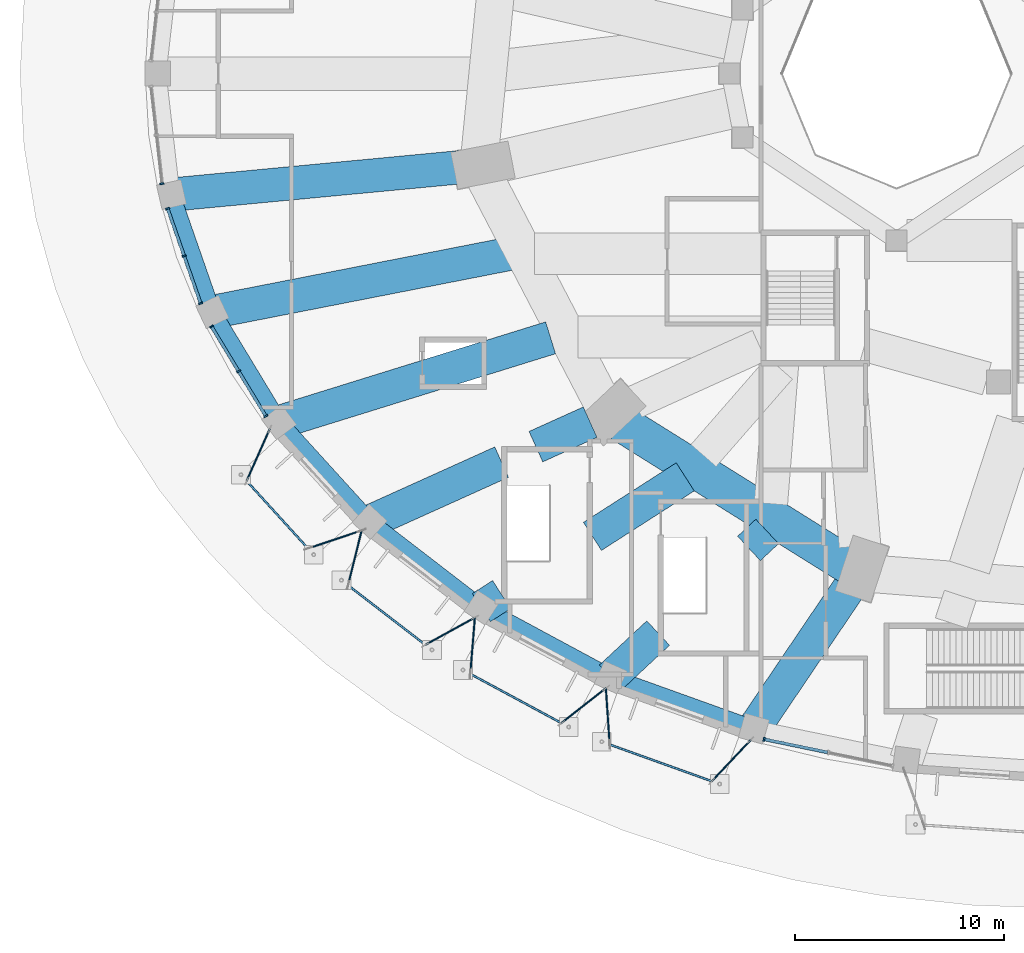
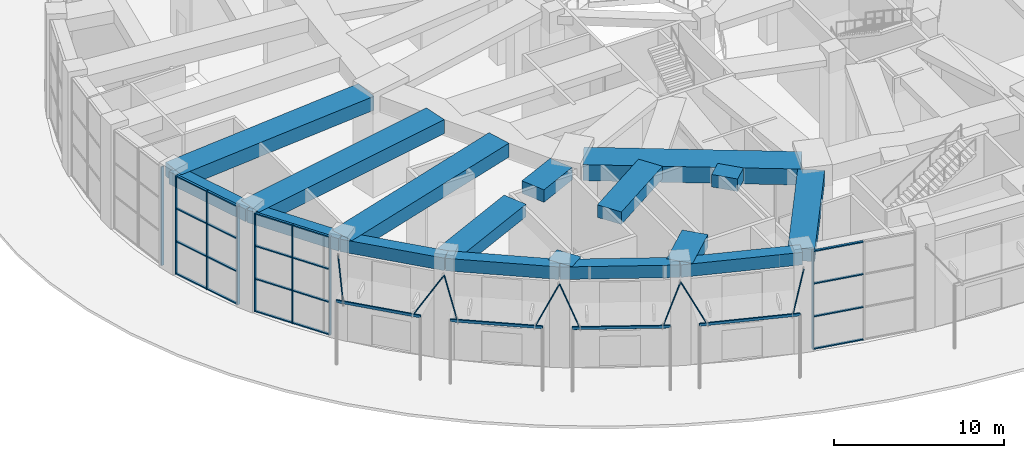
# One storey, part 22 of 60: 36 members, 21 beams, 4 elements without a shape of their own.
"""IFC4 building model written with IfcOpenShell, lengths in metres."""

import ifcopenshell
import ifcopenshell.guid

model = None  # the IFC model being written
_history = None  # IfcOwnerHistory: only IFC2X3 demands one
_inside = {}  # id of a spatial element -> (the spatial element, [elements in it])
_under = {}  # id of a project, library or spatial element -> (it, [spatial elements below it])
_declared = {}  # id of a project -> (the project, [libraries it declares])
_typed = {}  # id of a type object -> (the type object, [elements of that type])
_made_of = {}  # id of a material, layer set ... -> (it, [elements and type objects made of it])


def new_model(schema):
    """Start an empty IFC model of exactly this schema.

    Asked for "IFC4X3", IfcOpenShell would pick the latest addendum, in which some entities
    have other attributes; the version numbers below select the first issue.
    IFC2X3 requires an IfcOwnerHistory on every rooted entity: one is made here for all.
    """
    global model, _history
    if schema == "IFC4X3":
        model = ifcopenshell.file(schema_version=(4, 3, 0, 0))
    else:
        model = ifcopenshell.file(schema=schema)
    _inside.clear()
    _under.clear()
    _declared.clear()
    _typed.clear()
    _made_of.clear()
    _history = None
    if model.schema == "IFC2X3":
        org = make("IfcOrganization", Name="unknown")
        user = make(
            "IfcPersonAndOrganization",
            ThePerson=make("IfcPerson", FamilyName="unknown"),
            TheOrganization=org,
        )
        app = make(
            "IfcApplication",
            ApplicationDeveloper=org,
            Version="unknown",
            ApplicationFullName="unknown",
            ApplicationIdentifier="unknown",
        )
        _history = make(
            "IfcOwnerHistory",
            OwningUser=user,
            OwningApplication=app,
            ChangeAction="ADDED",
            CreationDate=0,
        )
    return model


def make(cls, **values):
    """One entity of the class cls with the attributes given. An attribute that is None is left unset."""
    return model.create_entity(
        cls, **{name: value for name, value in values.items() if value is not None}
    )


def rooted(cls, **values):
    """An entity with a GlobalId (a new one), such as an element, a storey or a relation."""
    return make(cls, GlobalId=ifcopenshell.guid.new(), OwnerHistory=_history, **values)


def si_unit(unit_type, name, prefix=None):
    """IfcSIUnit, for example si_unit("LENGTHUNIT", "METRE", prefix="MILLI")."""
    return make("IfcSIUnit", UnitType=unit_type, Prefix=prefix, Name=name)


def assignment(units):
    """IfcUnitAssignment: the units of a project."""
    return None if units is None else make("IfcUnitAssignment", Units=units)


def point(xyz):
    """IfcCartesianPoint."""
    return None if xyz is None else make("IfcCartesianPoint", Coordinates=xyz)


def direction(xyz):
    """IfcDirection."""
    return None if xyz is None else make("IfcDirection", DirectionRatios=xyz)


def frame(location, z_axis=None, x_axis=None):
    """IfcAxis2Placement3D, a coordinate frame: its origin and axes. An axis left out is left unset."""
    return make(
        "IfcAxis2Placement3D",
        Location=point(location),
        Axis=direction(z_axis),
        RefDirection=direction(x_axis),
    )


def frame_2d(location, x_axis=None):
    """IfcAxis2Placement2D, a coordinate frame in the plane: its origin and x axis."""
    return make(
        "IfcAxis2Placement2D", Location=point(location), RefDirection=direction(x_axis)
    )


def origin():
    """The frame at (0, 0, 0) with its axes left unset."""
    return frame((0.0, 0.0, 0.0))


def origin_2d():
    """The frame at (0, 0) in the plane with its x axis left unset."""
    return frame_2d((0.0, 0.0))


def place(relative_to, where):
    """IfcLocalPlacement: puts the frame where relative to a parent placement (None: the world)."""
    return make(
        "IfcLocalPlacement", PlacementRelTo=relative_to, RelativePlacement=where
    )


def context(
    kind, dimensions, precision=None, world=None, true_north=None, identifier=None
):
    """IfcGeometricRepresentationContext, for example the 3D "Model" context."""
    return make(
        "IfcGeometricRepresentationContext",
        ContextIdentifier=identifier,
        ContextType=kind,
        CoordinateSpaceDimension=dimensions,
        Precision=precision,
        WorldCoordinateSystem=world,
        TrueNorth=true_north,
    )


def subcontext(parent, identifier, kind, view, scale=None):
    """IfcGeometricRepresentationSubContext, for example "Body" below "Model"."""
    return make(
        "IfcGeometricRepresentationSubContext",
        ContextIdentifier=identifier,
        ContextType=kind,
        ParentContext=parent,
        TargetScale=scale,
        TargetView=view,
    )


def project(units=None, contexts=None):
    """IfcProject with its units and contexts."""
    return rooted(
        "IfcProject",
        Name="project",
        RepresentationContexts=contexts,
        UnitsInContext=assignment(units),
    )


def spatial(cls, under=None, at=None, **own):
    """A site, building, storey or space (cls), placed at a placement, below another one or the project."""
    s = rooted(cls, ObjectPlacement=at, **own)
    if under is not None:
        _under.setdefault(under.id(), (under, []))[1].append(s)
    return s


def profile(cls, at=None, kind="AREA", **sizes):
    """A parametric profile (cls). Its sizes go by their IFC names, for example OverallWidth=200.0."""
    return make(cls, ProfileType=kind, Position=at, **sizes)


def rectangle(**sizes):
    """IfcRectangleProfileDef."""
    return profile("IfcRectangleProfileDef", **sizes)


def hollow_rectangle(**sizes):
    """IfcRectangleHollowProfileDef."""
    return profile("IfcRectangleHollowProfileDef", **sizes)


def hollow_circle(**sizes):
    """IfcCircleHollowProfileDef."""
    return profile("IfcCircleHollowProfileDef", **sizes)


def extrude(swept, where, along, depth):
    """IfcExtrudedAreaSolid: the profile swept, set in the frame where, extruded along a direction by depth."""
    return make(
        "IfcExtrudedAreaSolid",
        SweptArea=swept,
        Position=where,
        ExtrudedDirection=direction(along),
        Depth=depth,
    )


def shape(context_of_items, identifier, shape_type, items):
    """IfcShapeRepresentation: the items that make up one representation, for example the "Body"."""
    return make(
        "IfcShapeRepresentation",
        ContextOfItems=context_of_items,
        RepresentationIdentifier=identifier,
        RepresentationType=shape_type,
        Items=items,
    )


def material(Name=None, Category=None):
    """IfcMaterial."""
    return make("IfcMaterial", Name=Name, Category=Category)


def material_profile(
    of_material, cross_section, Name=None, Category=None, Priority=None
):
    """IfcMaterialProfile: a cross section and its material."""
    return make(
        "IfcMaterialProfile",
        Name=Name,
        Material=of_material,
        Profile=cross_section,
        Priority=Priority,
        Category=Category,
    )


def profile_set(profiles, Name=None, composite=None):
    """IfcMaterialProfileSet."""
    return make(
        "IfcMaterialProfileSet",
        Name=Name,
        MaterialProfiles=profiles,
        CompositeProfile=composite,
    )


def made_of(thing, what):
    """Note that an element or type object is made of a material, layer set ...; save() writes the relation."""
    if what is not None:
        _made_of.setdefault(what.id(), (what, []))[1].append(thing)
    return thing


def type_object(cls, material=None, **own):
    """A type object (cls), such as IfcWallType, which elements share."""
    return made_of(rooted(cls, **own), material)


def element(
    cls,
    number,
    at=None,
    inside=None,
    cuts=None,
    type_object=None,
    material=None,
    context=None,
    identifier="Body",
    shape_type=None,
    held_by="IfcProductDefinitionShape",
    body=None,
    shapes=None,
    **own,
):
    """One element of the class cls, such as IfcWall. Its Tag is "e" and its number.

    at: its placement. inside: the storey or other place that contains it. cuts: it is an
    opening in that element (IfcRelVoidsElement). A single representation is given by context,
    identifier, shape_type and body (its items); several are given by shapes. held_by: the class
    of the entity that holds the representations. save() writes the other relations.
    """
    e = rooted(cls, Tag="e%d" % number, ObjectPlacement=at, **own)
    if body is not None:
        shapes = [shape(context, identifier, shape_type, body)]
    if shapes is not None:
        e.Representation = make(held_by, Representations=shapes)
    if inside is not None:
        _inside.setdefault(inside.id(), (inside, []))[1].append(e)
    if cuts is not None:
        rooted(
            "IfcRelVoidsElement", RelatingBuildingElement=cuts, RelatedOpeningElement=e
        )
    if type_object is not None:
        _typed.setdefault(type_object.id(), (type_object, []))[1].append(e)
    return made_of(e, material)


def aggregate(whole, parts):
    """IfcRelAggregates: a whole, such as a stair, and the parts it consists of."""
    return rooted("IfcRelAggregates", RelatingObject=whole, RelatedObjects=parts)


def save(model, path):
    """Write the relations noted so far, then the file.

    IfcRelAggregates (storeys below a building ...), IfcRelContainedInSpatialStructure (elements
    in a storey), IfcRelDefinesByType, IfcRelAssociatesMaterial and IfcRelDeclares: one each for
    every whole, place, type object, material and project.
    """
    for whole, parts in _under.values():
        aggregate(whole, parts)
    for where, things in _inside.values():
        rooted(
            "IfcRelContainedInSpatialStructure",
            RelatedElements=things,
            RelatingStructure=where,
        )
    for kind, things in _typed.values():
        rooted("IfcRelDefinesByType", RelatedObjects=things, RelatingType=kind)
    for what, things in _made_of.values():
        rooted("IfcRelAssociatesMaterial", RelatedObjects=things, RelatingMaterial=what)
    for by, libraries in _declared.values():
        rooted("IfcRelDeclares", RelatingContext=by, RelatedDefinitions=libraries)
    model.write(path)


model = new_model("IFC4")

# Units and contexts
model_context = context("Model", 3, precision=1e-05, world=origin(), true_north=direction((0.0, 1.0)))
body_context = subcontext(model_context, "Body", "Model", "MODEL_VIEW")
ifc_project = project(units=[si_unit("LENGTHUNIT", "METRE"), si_unit("AREAUNIT", "SQUARE_METRE"), si_unit("VOLUMEUNIT", "CUBIC_METRE"), si_unit("PLANEANGLEUNIT", "RADIAN"), si_unit("MASSUNIT", "GRAM", prefix="KILO")], contexts=[model_context])

# Site, building, storey
site_placement = place(None, origin())
site = spatial("IfcSite", under=ifc_project, at=site_placement, CompositionType="ELEMENT")
building_placement = place(site_placement, origin())
building = spatial("IfcBuilding", under=site, at=building_placement, Name="Taillehof Tower", CompositionType="ELEMENT")
storey_placement = place(building_placement, origin())
storey = spatial("IfcBuildingStorey", under=building, at=storey_placement, Name="L00", CompositionType="ELEMENT", Elevation=0.0)

# Beams
ifc_material_1 = material(Name="Steel S460M", Category="steel")
ifc_material_profile_1 = material_profile(ifc_material_1, hollow_rectangle(XDim=0.10009765625, YDim=0.199951171875, WallThickness=0.008056640625, InnerFilletRadius=0.008056640625, OuterFilletRadius=0.011962890625, at=origin_2d()), Name="RHS 200x100x8")
ifc_profile_set_1 = profile_set([ifc_material_profile_1], Name="Steel S460M")
beam_type_1 = type_object("IfcBeamType", Name="Canopy edge beam RHS 200x100x8", PredefinedType="BEAM", material=ifc_profile_set_1)
beam_1_placement = place(storey_placement, frame((-39.427001953125, -19.205810546875, 4.550048828125), z_axis=(0.672947641547, -0.739690118723, 0.0), x_axis=(0.739690118723, 0.672947641547, 0.0)))
element("IfcBeam", 1, at=beam_1_placement, inside=storey, type_object=beam_type_1, Name="Canopy edge beam E3", PredefinedType="BEAM", context=body_context, shape_type="SweptSolid", body=[
    extrude(hollow_rectangle(XDim=0.10009765625, YDim=0.199951171875, WallThickness=0.008056640625, InnerFilletRadius=0.008056640625, OuterFilletRadius=0.011962890625, at=origin_2d()), origin(), (0.0, 0.0, 1.0), 5.21630859375),
])
beam_2_placement = place(storey_placement, frame((-34.61669921875, -24.261474609375, 4.550048828125), z_axis=(0.792460982744, -0.609922610524, 0.0), x_axis=(0.609922610524, 0.792460982744, 0.0)))
element("IfcBeam", 2, at=beam_2_placement, inside=storey, type_object=beam_type_1, Name="Canopy edge beam E4", PredefinedType="BEAM", context=body_context, shape_type="SweptSolid", body=[
    extrude(hollow_rectangle(XDim=0.10009765625, YDim=0.199951171875, WallThickness=0.008056640625, InnerFilletRadius=0.008056640625, OuterFilletRadius=0.011962890625, at=origin_2d()), origin(), (0.0, 0.0, 1.0), 5.51318359375),
])
beam_3_placement = place(storey_placement, frame((-28.798095703125, -28.56396484375, 4.550048828125), z_axis=(0.880314208322, -0.474391077727, 0.0), x_axis=(0.474391077727, 0.880314208322, 0.0)))
element("IfcBeam", 3, at=beam_3_placement, inside=storey, type_object=beam_type_1, Name="Canopy edge beam E21", PredefinedType="BEAM", context=body_context, shape_type="SweptSolid", body=[
    extrude(hollow_rectangle(XDim=0.10009765625, YDim=0.199951171875, WallThickness=0.008056640625, InnerFilletRadius=0.008056640625, OuterFilletRadius=0.011962890625, at=origin_2d()), origin(), (0.0, 0.0, 1.0), 5.7978515625),
])
beam_4_placement = place(storey_placement, frame((-22.14501953125, -32.00537109375, 4.550048828125), z_axis=(0.941224990618, -0.33778027923, 0.0), x_axis=(0.33778027923, 0.941224990618, 0.0)))
element("IfcBeam", 4, at=beam_4_placement, inside=storey, type_object=beam_type_1, Name="Canopy edge beam E15", PredefinedType="BEAM", context=body_context, shape_type="SweptSolid", body=[
    extrude(hollow_rectangle(XDim=0.10009765625, YDim=0.199951171875, WallThickness=0.008056640625, InnerFilletRadius=0.008056640625, OuterFilletRadius=0.011962890625, at=origin_2d()), origin(), (0.0, 0.0, 1.0), 6.03955078125),
])

# Members
ifc_material_2 = material(Name="Steel S460M", Category="steel")
ifc_material_profile_2 = material_profile(ifc_material_2, hollow_circle(Radius=0.04443359375, WallThickness=0.0048828125, at=origin_2d()), Name="CHS 89x5")
ifc_profile_set_2 = profile_set([ifc_material_profile_2], Name="Steel S460M")
member_type_1 = type_object("IfcMemberType", Name="Canopy tie CHS 89x5", PredefinedType="BRACE", material=ifc_profile_set_2)
member_1_placement = place(storey_placement, frame((-39.144287109375, -19.516357421875, 4.639892578125), z_axis=(0.363592680004, 0.816412533751, 0.448632296856), x_axis=(-0.913502878327, 0.406832264317, 0.0)))
element("IfcMember", 5, at=member_1_placement, inside=storey, type_object=member_type_1, Name="Canopy tie E3", PredefinedType="BRACE", context=body_context, shape_type="SweptSolid", body=[
    extrude(hollow_circle(Radius=0.04443359375, WallThickness=0.0048828125, at=origin_2d()), origin(), (0.0, 0.0, 1.0), 3.03173828125),
])
member_2_placement = place(storey_placement, frame((-36.19921875, -22.75341796875, 4.639892578125), z_axis=(0.846853629113, 0.285399258817, 0.448760731265), x_axis=(-0.319362878484, 0.947632498306, 0.0)))
element("IfcMember", 6, at=member_2_placement, inside=storey, type_object=member_type_1, Name="Canopy tie E3", PredefinedType="BRACE", context=body_context, shape_type="SweptSolid", body=[
    extrude(hollow_circle(Radius=0.04443359375, WallThickness=0.0048828125, at=origin_2d()), origin(), (0.0, 0.0, 1.0), 3.03076171875),
])
member_3_placement = place(storey_placement, frame((-34.283935546875, -24.517578125, 4.639892578125), z_axis=(0.214905929566, 0.867437014804, 0.448740979615), x_axis=(-0.970654613858, 0.240477900434, 0.0)))
element("IfcMember", 7, at=member_3_placement, inside=storey, type_object=member_type_1, Name="Canopy tie E4", PredefinedType="BRACE", context=body_context, shape_type="SweptSolid", body=[
    extrude(hollow_circle(Radius=0.04443359375, WallThickness=0.0048828125, at=origin_2d()), origin(), (0.0, 0.0, 1.0), 3.031005859375),
])
member_4_placement = place(storey_placement, frame((-30.580810546875, -27.367919921875, 4.639892578125), z_axis=(0.783276965784, 0.430186053408, 0.448795225381), x_axis=(-0.481389194927, 0.876506955482, 0.0)))
element("IfcMember", 8, at=member_4_placement, inside=storey, type_object=member_type_1, Name="Canopy tie E4", PredefinedType="BRACE", context=body_context, shape_type="SweptSolid", body=[
    extrude(hollow_circle(Radius=0.04443359375, WallThickness=0.0048828125, at=origin_2d()), origin(), (0.0, 0.0, 1.0), 3.030517578125),
])
member_5_placement = place(storey_placement, frame((-28.42822265625, -28.76318359375, 4.639892578125), z_axis=(0.072990996782, 0.890635175961, 0.448822122594), x_axis=(-0.996658604155, 0.081680026718, 0.0)))
element("IfcMember", 9, at=member_5_placement, inside=storey, type_object=member_type_1, Name="Canopy tie E21", PredefinedType="BRACE", context=body_context, shape_type="SweptSolid", body=[
    extrude(hollow_circle(Radius=0.04443359375, WallThickness=0.0048828125, at=origin_2d()), origin(), (0.0, 0.0, 1.0), 3.0302734375),
])
for number, where, z_axis, x_axis, name in (
    (10, (-24.063720703125, -31.115234375, 4.639892578125), (0.703507737819, 0.550977655619, 0.448888054907), (-0.61659025801, 0.787284226774, 0.0), "Canopy tie E21"),
    (11, (-21.74951171875, -32.147216796875, 4.639892578125), (-0.060269732569, 0.89155693967, 0.448880588423), (-0.997722884906, -0.067446608035, 0.0), "Canopy tie E15"),
):
    element("IfcMember", number, at=place(storey_placement, frame(where, z_axis=z_axis, x_axis=x_axis)), inside=storey, type_object=member_type_1, Name=name, PredefinedType="BRACE", context=body_context, shape_type="SweptSolid", body=[
        extrude(hollow_circle(Radius=0.04443359375, WallThickness=0.0048828125, at=origin_2d()), origin(), (0.0, 0.0, 1.0), 3.030029296875),
    ])
member_6_placement = place(storey_placement, frame((-16.855712890625, -33.903564453125, 4.639892578125), z_axis=(0.61316407558, 0.64999098878, 0.448933771199), x_axis=(-0.727413186974, 0.686199719773, 0.0)))
element("IfcMember", 12, at=member_6_placement, inside=storey, type_object=member_type_1, Name="Canopy tie E15", PredefinedType="BRACE", context=body_context, shape_type="SweptSolid", body=[
    extrude(hollow_circle(Radius=0.04443359375, WallThickness=0.0048828125, at=origin_2d()), origin(), (0.0, 0.0, 1.0), 3.029541015625),
])

# Beams
ifc_material_3 = material(Name="Concrete C50/60", Category="concrete")
ifc_material_profile_3 = material_profile(ifc_material_3, rectangle(XDim=0.800048828125, YDim=0.89990234375, at=origin_2d()), Name="RC 800x900")
ifc_profile_set_3 = profile_set([ifc_material_profile_3], Name="Concrete C50/60")
beam_type_2 = type_object("IfcBeamType", Name="Podium edge beam C50/60 800x900", PredefinedType="BEAM", material=ifc_profile_set_3)
beam_5_placement = place(storey_placement, frame((-42.74072265625, -5.7998046875, 6.639892578125), z_axis=(0.328806837859, -0.94439719577, 0.0), x_axis=(0.94439719577, 0.328806837859, 0.0)))
element("IfcBeam", 13, at=beam_5_placement, inside=storey, type_object=beam_type_2, Name="Podium edge beam PB20", PredefinedType="BEAM", context=body_context, shape_type="SweptSolid", body=[
    extrude(rectangle(XDim=0.800048828125, YDim=0.89990234375, at=origin_2d()), origin(), (0.0, 0.0, 1.0), 5.954833984375),
])
beam_6_placement = place(storey_placement, frame((-40.78271484375, -11.423583984375, 6.639892578125), z_axis=(0.518238569123, -0.855236099258, 0.0), x_axis=(0.855236099258, 0.518238569123, 0.0)))
element("IfcBeam", 14, at=beam_6_placement, inside=storey, type_object=beam_type_2, Name="Podium edge beam PB21", PredefinedType="BEAM", context=body_context, shape_type="SweptSolid", body=[
    extrude(rectangle(XDim=0.800048828125, YDim=0.89990234375, at=origin_2d()), origin(), (0.0, 0.0, 1.0), 6.16943359375),
])
beam_7_placement = place(storey_placement, frame((-37.58544921875, -16.699951171875, 6.639892578125), z_axis=(0.67297994181, -0.739660731634, 0.0), x_axis=(0.739660731634, 0.67297994181, 0.0)))
element("IfcBeam", 15, at=beam_7_placement, inside=storey, type_object=beam_type_2, Name="Podium edge beam PB22", PredefinedType="BEAM", context=body_context, shape_type="SweptSolid", body=[
    extrude(rectangle(XDim=0.800048828125, YDim=0.89990234375, at=origin_2d()), origin(), (0.0, 0.0, 1.0), 6.447509765625),
])
beam_8_placement = place(storey_placement, frame((-33.246337890625, -21.468994140625, 6.639892578125), z_axis=(0.79247741179, -0.609901263978, 0.0), x_axis=(0.609901263978, 0.79247741179, 0.0)))
element("IfcBeam", 16, at=beam_8_placement, inside=storey, type_object=beam_type_2, Name="Podium edge beam PB23", PredefinedType="BEAM", context=body_context, shape_type="SweptSolid", body=[
    extrude(rectangle(XDim=0.800048828125, YDim=0.89990234375, at=origin_2d()), origin(), (0.0, 0.0, 1.0), 6.750244140625),
])
beam_9_placement = place(storey_placement, frame((-27.89697265625, -25.5859375, 6.639892578125), z_axis=(0.880322944269, -0.474374866317, 0.0), x_axis=(0.474374866317, 0.880322944269, 0.0)))
element("IfcBeam", 17, at=beam_9_placement, inside=storey, type_object=beam_type_2, Name="Podium edge beam PB24", PredefinedType="BEAM", context=body_context, shape_type="SweptSolid", body=[
    extrude(rectangle(XDim=0.800048828125, YDim=0.89990234375, at=origin_2d()), origin(), (0.0, 0.0, 1.0), 7.03955078125),
])
beam_10_placement = place(storey_placement, frame((-21.699951171875, -28.92529296875, 6.639892578125), z_axis=(0.941227460002, -0.337773398209, 0.0), x_axis=(0.337773398209, 0.941227460002, 0.0)))
element("IfcBeam", 18, at=beam_10_placement, inside=storey, type_object=beam_type_2, Name="Podium edge beam PB25", PredefinedType="BEAM", context=body_context, shape_type="SweptSolid", body=[
    extrude(rectangle(XDim=0.800048828125, YDim=0.89990234375, at=origin_2d()), origin(), (0.0, 0.0, 1.0), 7.284423828125),
])
ifc_material_4 = material(Name="Concrete C50/60", Category="concrete")
ifc_material_profile_4 = material_profile(ifc_material_4, rectangle(XDim=1.60009765625, YDim=1.0, at=origin_2d()), Name="RC 1600x1000")
ifc_profile_set_4 = profile_set([ifc_material_profile_4], Name="Concrete C50/60")
beam_type_3 = type_object("IfcBeamType", Name="Podium radial beam C50/60 1600x1000", PredefinedType="BEAM", material=ifc_profile_set_4)
beam_11_placement = place(storey_placement, frame((-42.74072265625, -5.7998046875, 6.590087890625), z_axis=(0.995530936101, 0.094435985011, 0.0), x_axis=(-0.094435985011, 0.995530936101, 0.0)))
element("IfcBeam", 19, at=beam_11_placement, inside=storey, type_object=beam_type_3, Name="Podium radial beam PR20", PredefinedType="BEAM", context=body_context, shape_type="SweptSolid", body=[
    extrude(rectangle(XDim=1.60009765625, YDim=1.0, at=origin_2d()), origin(), (0.0, 0.0, 1.0), 13.9267578125),
])
beam_12_placement = place(storey_placement, frame((-40.78271484375, -11.423583984375, 6.590087890625), z_axis=(0.981363685946, 0.192159610496, 0.0), x_axis=(-0.192159610496, 0.981363685946, 0.0)))
element("IfcBeam", 20, at=beam_12_placement, inside=storey, type_object=beam_type_3, Name="Podium radial beam PR21", PredefinedType="BEAM", context=body_context, shape_type="SweptSolid", body=[
    extrude(rectangle(XDim=1.60009765625, YDim=1.0, at=origin_2d()), origin(), (0.0, 0.0, 1.0), 14.47119140625),
])
beam_13_placement = place(storey_placement, frame((-37.58544921875, -16.699951171875, 6.590087890625), z_axis=(0.954999719984, 0.296606700583, 0.0), x_axis=(-0.296606700583, 0.954999719984, 0.0)))
element("IfcBeam", 21, at=beam_13_placement, inside=storey, type_object=beam_type_3, Name="Podium radial beam PR22", PredefinedType="BEAM", context=body_context, shape_type="SweptSolid", body=[
    extrude(rectangle(XDim=1.60009765625, YDim=1.0, at=origin_2d()), origin(), (0.0, 0.0, 1.0), 13.619140625),
])
ifc_material_5 = material(Name="Concrete C50/60", Category="concrete")
ifc_material_profile_5 = material_profile(ifc_material_5, rectangle(XDim=1.60009765625, YDim=0.89990234375, at=origin_2d()), Name="RC 1600x900")
ifc_profile_set_5 = profile_set([ifc_material_profile_5], Name="Concrete C50/60")
beam_type_4 = type_object("IfcBeamType", Name="Podium radial beam C50/60 1600x900", PredefinedType="BEAM", material=ifc_profile_set_5)
beam_14_placement = place(storey_placement, frame((-33.246337890625, -21.468994140625, 6.639892578125), z_axis=(0.911451939096, 0.411406566206, 0.0), x_axis=(-0.411406566206, 0.911451939096, 0.0)))
element("IfcBeam", 22, at=beam_14_placement, inside=storey, type_object=beam_type_4, Name="Podium radial beam PR23", PredefinedType="BEAM", context=body_context, shape_type="SweptSolid", body=[
    extrude(rectangle(XDim=1.60009765625, YDim=0.89990234375, at=origin_2d()), origin(), (0.0, 0.0, 1.0), 6.935302734375),
])
beam_15_placement = place(storey_placement, frame((-25.2841796875, -17.875, 6.639892578125), z_axis=(0.911456532407, 0.411396389791, 0.0), x_axis=(-0.411396389791, 0.911456532407, 0.0)))
element("IfcBeam", 23, at=beam_15_placement, inside=storey, type_object=beam_type_4, Name="Podium radial beam PR23", PredefinedType="BEAM", context=body_context, shape_type="SweptSolid", body=[
    extrude(rectangle(XDim=1.60009765625, YDim=0.89990234375, at=origin_2d()), origin(), (0.0, 0.0, 1.0), 2.852783203125),
])
beam_16_placement = place(storey_placement, frame((-27.89697265625, -25.5859375, 6.639892578125), z_axis=(0.841775665567, 0.539827499169, 0.0), x_axis=(-0.539827499169, 0.841775665567, 0.0)))
element("IfcBeam", 24, at=beam_16_placement, inside=storey, type_object=beam_type_4, Name="Podium radial beam PR24", PredefinedType="BEAM", context=body_context, shape_type="SweptSolid", body=[
    extrude(rectangle(XDim=1.60009765625, YDim=0.89990234375, at=origin_2d()), origin(), (0.0, 0.0, 1.0), 1.154541015625),
])
beam_17_placement = place(storey_placement, frame((-22.574951171875, -22.173828125, 6.639892578125), z_axis=(0.841854914692, 0.539703902717, 0.0), x_axis=(-0.539703902717, 0.841854914692, 0.0)))
element("IfcBeam", 25, at=beam_17_placement, inside=storey, type_object=beam_type_4, Name="Podium radial beam PR24", PredefinedType="BEAM", context=body_context, shape_type="SweptSolid", body=[
    extrude(rectangle(XDim=1.60009765625, YDim=0.89990234375, at=origin_2d()), origin(), (0.0, 0.0, 1.0), 5.283447265625),
])
beam_18_placement = place(storey_placement, frame((-21.699951171875, -28.92529296875, 6.639892578125), z_axis=(0.731595500209, 0.681738970629, 0.0), x_axis=(-0.681738970629, 0.731595500209, 0.0)))
element("IfcBeam", 26, at=beam_18_placement, inside=storey, type_object=beam_type_4, Name="Podium radial beam PR25", PredefinedType="BEAM", context=body_context, shape_type="SweptSolid", body=[
    extrude(rectangle(XDim=1.60009765625, YDim=0.89990234375, at=origin_2d()), origin(), (0.0, 0.0, 1.0), 3.109619140625),
])
beam_19_placement = place(storey_placement, frame((-15.074951171875, -22.75244140625, 6.639892578125), z_axis=(0.731598694233, 0.681735543006, 0.0), x_axis=(-0.681735543006, 0.731598694233, 0.0)))
element("IfcBeam", 27, at=beam_19_placement, inside=storey, type_object=beam_type_4, Name="Podium radial beam PR25", PredefinedType="BEAM", context=body_context, shape_type="SweptSolid", body=[
    extrude(rectangle(XDim=1.60009765625, YDim=0.89990234375, at=origin_2d()), origin(), (0.0, 0.0, 1.0), 1.194580078125),
])
beam_20_placement = place(storey_placement, frame((-14.84375, -31.3857421875, 6.639892578125), z_axis=(0.560381534031, 0.828234590147, 0.0), x_axis=(-0.828234590147, 0.560381534031, 0.0)))
element("IfcBeam", 28, at=beam_20_placement, inside=storey, type_object=beam_type_4, Name="Podium radial beam PR26", PredefinedType="BEAM", context=body_context, shape_type="SweptSolid", body=[
    extrude(rectangle(XDim=1.60009765625, YDim=0.89990234375, at=origin_2d()), origin(), (0.0, 0.0, 1.0), 8.123046875),
])
ifc_material_6 = material(Name="Concrete C50/60", Category="concrete")
ifc_material_profile_6 = material_profile(ifc_material_6, rectangle(XDim=1.800048828125, YDim=1.14990234375, at=origin_2d()), Name="RC 1800x1150")
ifc_profile_set_6 = profile_set([ifc_material_profile_6], Name="Concrete C50/60")
beam_type_5 = type_object("IfcBeamType", Name="Ring floor beam C50/60 1800x1150", PredefinedType="BEAM", material=ifc_profile_set_6)
beam_21_placement = place(storey_placement, frame((-21.207275390625, -16.737548828125, 6.514892578125), z_axis=(0.847670289151, -0.530523402774, 0.0), x_axis=(0.530523402774, 0.847670289151, 0.0)))
element("IfcBeam", 29, at=beam_21_placement, inside=storey, type_object=beam_type_5, Name="Ring floor beam RG08", PredefinedType="BEAM", context=body_context, shape_type="SweptSolid", body=[
    extrude(rectangle(XDim=1.800048828125, YDim=1.14990234375, at=origin_2d()), origin(), (0.0, 0.0, 1.0), 12.843505859375),
])

# Curtain wall, member
ifc_material_7 = material(Name="Aluminium curtain wall with Clear laminated safety glass", Category="aluminium")
curtain_wall_type = type_object("IfcCurtainWallType", Name="Station storefront curtain wall", PredefinedType="USERDEFINED", material=ifc_material_7)
curtain_wall_1_placement = place(storey_placement, origin())
curtain_wall_1 = element("IfcCurtainWall", 30, at=curtain_wall_1_placement, inside=storey, type_object=curtain_wall_type, Name="Station storefront L00 bay 19", ObjectType="STOREFRONT", PredefinedType="USERDEFINED")
ifc_material_8 = material(Name="Aluminium mullion", Category="aluminium")
ifc_material_profile_7 = material_profile(ifc_material_8, rectangle(XDim=0.199951171875, YDim=0.080078125, at=origin_2d()), Name="AL 80x200")
ifc_profile_set_7 = profile_set([ifc_material_profile_7], Name="Aluminium mullion")
member_type_2 = type_object("IfcMemberType", Name="Station storefront mullion 80x200", PredefinedType="MULLION", material=ifc_profile_set_7)
member_7_placement = place(storey_placement, frame((-43.19873046875, -5.27880859375, 0.0), z_axis=(0.0, 0.0, 1.0), x_axis=(0.993602669771, 0.112932433888, 0.0)))
member_7 = element("IfcMember", 31, at=member_7_placement, type_object=member_type_2, Name="CT119 mullion 3", PredefinedType="MULLION", context=body_context, shape_type="SweptSolid", body=[
    extrude(rectangle(XDim=0.199951171875, YDim=0.080078125, at=origin_2d()), origin(), (0.0, 0.0, 1.0), 7.090087890625),
])
aggregate(curtain_wall_1, [member_7])

# Curtain wall, members
curtain_wall_2_placement = place(storey_placement, origin())
curtain_wall_2 = element("IfcCurtainWall", 32, at=curtain_wall_2_placement, inside=storey, type_object=curtain_wall_type, Name="Station storefront L00 bay 20", ObjectType="STOREFRONT", PredefinedType="USERDEFINED")
member_8_placement = place(storey_placement, frame((-42.927734375, -6.46826171875, 0.0), z_axis=(0.0, 0.0, 1.0), x_axis=(0.944414333464, 0.328757610934, 0.0)))
member_8 = element("IfcMember", 33, at=member_8_placement, type_object=member_type_2, Name="CT120 mullion 1", PredefinedType="MULLION", context=body_context, shape_type="SweptSolid", body=[
    extrude(rectangle(XDim=0.199951171875, YDim=0.080078125, at=origin_2d()), origin(), (0.0, 0.0, 1.0), 7.090087890625),
])
member_9_placement = place(storey_placement, frame((-42.136474609375, -8.7412109375, 0.0), z_axis=(0.0, 0.0, 1.0), x_axis=(0.944414333464, 0.328757610934, 0.0)))
member_9 = element("IfcMember", 34, at=member_9_placement, type_object=member_type_2, Name="CT120 mullion 2", PredefinedType="MULLION", context=body_context, shape_type="SweptSolid", body=[
    extrude(rectangle(XDim=0.199951171875, YDim=0.080078125, at=origin_2d()), origin(), (0.0, 0.0, 1.0), 7.090087890625),
])
member_10_placement = place(storey_placement, frame((-41.34521484375, -11.01416015625, 0.0), z_axis=(0.0, 0.0, 1.0), x_axis=(0.944414333464, 0.328757610934, 0.0)))
member_10 = element("IfcMember", 35, at=member_10_placement, type_object=member_type_2, Name="CT120 mullion 3", PredefinedType="MULLION", context=body_context, shape_type="SweptSolid", body=[
    extrude(rectangle(XDim=0.199951171875, YDim=0.080078125, at=origin_2d()), origin(), (0.0, 0.0, 1.0), 7.090087890625),
])

curtain_wall_3_placement = place(storey_placement, origin())
curtain_wall_3 = element("IfcCurtainWall", 36, at=curtain_wall_3_placement, inside=storey, type_object=curtain_wall_type, Name="Station storefront L00 bay 21", ObjectType="STOREFRONT", PredefinedType="USERDEFINED")
member_11_placement = place(storey_placement, frame((-40.82568359375, -12.117919921875, 0.0), z_axis=(0.0, 0.0, 1.0), x_axis=(0.855288863309, 0.518151483931, 0.0)))
member_11 = element("IfcMember", 37, at=member_11_placement, type_object=member_type_2, Name="CT121 mullion 1", PredefinedType="MULLION", context=body_context, shape_type="SweptSolid", body=[
    extrude(rectangle(XDim=0.199951171875, YDim=0.080078125, at=origin_2d()), origin(), (0.0, 0.0, 1.0), 7.090087890625),
])
member_12_placement = place(storey_placement, frame((-39.524169921875, -14.266357421875, 0.0), z_axis=(0.0, 0.0, 1.0), x_axis=(0.855288863309, 0.518151483931, 0.0)))
member_12 = element("IfcMember", 38, at=member_12_placement, type_object=member_type_2, Name="CT121 mullion 2", PredefinedType="MULLION", context=body_context, shape_type="SweptSolid", body=[
    extrude(rectangle(XDim=0.199951171875, YDim=0.080078125, at=origin_2d()), origin(), (0.0, 0.0, 1.0), 7.090087890625),
])
member_13_placement = place(storey_placement, frame((-38.22265625, -16.414794921875, 0.0), z_axis=(0.0, 0.0, 1.0), x_axis=(0.855288863309, 0.518151483931, 0.0)))
member_13 = element("IfcMember", 39, at=member_13_placement, type_object=member_type_2, Name="CT121 mullion 3", PredefinedType="MULLION", context=body_context, shape_type="SweptSolid", body=[
    extrude(rectangle(XDim=0.199951171875, YDim=0.080078125, at=origin_2d()), origin(), (0.0, 0.0, 1.0), 7.090087890625),
])

# Curtain wall, member
curtain_wall_4_placement = place(storey_placement, origin())
curtain_wall_4 = element("IfcCurtainWall", 40, at=curtain_wall_4_placement, inside=storey, type_object=curtain_wall_type, Name="Station storefront L00 bay 26", ObjectType="STOREFRONT", PredefinedType="USERDEFINED")
member_14_placement = place(storey_placement, frame((-14.35302734375, -31.893798828125, 0.0), z_axis=(0.0, 0.0, 1.0), x_axis=(0.201976001877, 0.97939047099, 0.0)))
member_14 = element("IfcMember", 41, at=member_14_placement, type_object=member_type_2, Name="CT126 mullion 1", PredefinedType="MULLION", context=body_context, shape_type="SweptSolid", body=[
    extrude(rectangle(XDim=0.199951171875, YDim=0.080078125, at=origin_2d()), origin(), (0.0, 0.0, 1.0), 7.090087890625),
])

# Member
ifc_material_9 = material(Name="Aluminium transom", Category="aluminium")
ifc_material_profile_8 = material_profile(ifc_material_9, rectangle(XDim=0.14990234375, YDim=0.080078125, at=origin_2d()), Name="AL 150x80")
ifc_profile_set_8 = profile_set([ifc_material_profile_8], Name="Aluminium transom")
member_type_3 = type_object("IfcMemberType", Name="Station storefront transom 150x80", PredefinedType="USERDEFINED", material=ifc_profile_set_8)
member_15_placement = place(storey_placement, frame((-42.91455078125, -6.505859375, 0.0400390625), z_axis=(0.328728165625, -0.94442458308, 0.0), x_axis=(0.94442458308, 0.328728165625, 0.0)))
member_15 = element("IfcMember", 42, at=member_15_placement, type_object=member_type_3, Name="CT120 transom 1.1", ObjectType="TRANSOM", PredefinedType="USERDEFINED", context=body_context, shape_type="SweptSolid", body=[
    extrude(rectangle(XDim=0.14990234375, YDim=0.080078125, at=origin_2d()), origin(), (0.0, 0.0, 1.0), 2.326904296875),
])

member_16_placement = place(storey_placement, frame((-42.91455078125, -6.505859375, 2.36328125), z_axis=(0.328728165625, -0.94442458308, 0.0), x_axis=(0.94442458308, 0.328728165625, 0.0)))
member_16 = element("IfcMember", 43, at=member_16_placement, type_object=member_type_3, Name="CT120 transom 1.2", ObjectType="TRANSOM", PredefinedType="USERDEFINED", context=body_context, shape_type="SweptSolid", body=[
    extrude(rectangle(XDim=0.14990234375, YDim=0.080078125, at=origin_2d()), origin(), (0.0, 0.0, 1.0), 2.326904296875),
])

member_17_placement = place(storey_placement, frame((-42.91455078125, -6.505859375, 4.726806640625), z_axis=(0.328728165625, -0.94442458308, 0.0), x_axis=(0.94442458308, 0.328728165625, 0.0)))
member_17 = element("IfcMember", 44, at=member_17_placement, type_object=member_type_3, Name="CT120 transom 1.3", ObjectType="TRANSOM", PredefinedType="USERDEFINED", context=body_context, shape_type="SweptSolid", body=[
    extrude(rectangle(XDim=0.14990234375, YDim=0.080078125, at=origin_2d()), origin(), (0.0, 0.0, 1.0), 2.326904296875),
])

member_18_placement = place(storey_placement, frame((-42.91455078125, -6.505859375, 7.050048828125), z_axis=(0.328728165625, -0.94442458308, 0.0), x_axis=(0.94442458308, 0.328728165625, 0.0)))
member_18 = element("IfcMember", 45, at=member_18_placement, type_object=member_type_3, Name="CT120 transom 1.4", ObjectType="TRANSOM", PredefinedType="USERDEFINED", context=body_context, shape_type="SweptSolid", body=[
    extrude(rectangle(XDim=0.14990234375, YDim=0.080078125, at=origin_2d()), origin(), (0.0, 0.0, 1.0), 2.326904296875),
])

member_19_placement = place(storey_placement, frame((-42.123291015625, -8.779052734375, 0.0400390625), z_axis=(0.32876074338, -0.944413243031, 0.0), x_axis=(0.944413243031, 0.32876074338, 0.0)))
member_19 = element("IfcMember", 46, at=member_19_placement, type_object=member_type_3, Name="CT120 transom 2.1", ObjectType="TRANSOM", PredefinedType="USERDEFINED", context=body_context, shape_type="SweptSolid", body=[
    extrude(rectangle(XDim=0.14990234375, YDim=0.080078125, at=origin_2d()), origin(), (0.0, 0.0, 1.0), 2.32666015625),
])

member_20_placement = place(storey_placement, frame((-42.123291015625, -8.779052734375, 2.36328125), z_axis=(0.32876074338, -0.944413243031, 0.0), x_axis=(0.944413243031, 0.32876074338, 0.0)))
member_20 = element("IfcMember", 47, at=member_20_placement, type_object=member_type_3, Name="CT120 transom 2.2", ObjectType="TRANSOM", PredefinedType="USERDEFINED", context=body_context, shape_type="SweptSolid", body=[
    extrude(rectangle(XDim=0.14990234375, YDim=0.080078125, at=origin_2d()), origin(), (0.0, 0.0, 1.0), 2.32666015625),
])

member_21_placement = place(storey_placement, frame((-42.123291015625, -8.779052734375, 4.726806640625), z_axis=(0.32876074338, -0.944413243031, 0.0), x_axis=(0.944413243031, 0.32876074338, 0.0)))
member_21 = element("IfcMember", 48, at=member_21_placement, type_object=member_type_3, Name="CT120 transom 2.3", ObjectType="TRANSOM", PredefinedType="USERDEFINED", context=body_context, shape_type="SweptSolid", body=[
    extrude(rectangle(XDim=0.14990234375, YDim=0.080078125, at=origin_2d()), origin(), (0.0, 0.0, 1.0), 2.32666015625),
])

member_22_placement = place(storey_placement, frame((-42.123291015625, -8.779052734375, 7.050048828125), z_axis=(0.32876074338, -0.944413243031, 0.0), x_axis=(0.944413243031, 0.32876074338, 0.0)))
member_22 = element("IfcMember", 49, at=member_22_placement, type_object=member_type_3, Name="CT120 transom 2.4", ObjectType="TRANSOM", PredefinedType="USERDEFINED", context=body_context, shape_type="SweptSolid", body=[
    extrude(rectangle(XDim=0.14990234375, YDim=0.080078125, at=origin_2d()), origin(), (0.0, 0.0, 1.0), 2.32666015625),
])

aggregate(curtain_wall_2, [member_8, member_9, member_10, member_15, member_16, member_17, member_18, member_19, member_20, member_21, member_22])

member_23_placement = place(storey_placement, frame((-40.804931640625, -12.152099609375, 0.0400390625), z_axis=(0.518108138611, -0.855315121288, 0.0), x_axis=(0.855315121288, 0.518108138611, 0.0)))
member_23 = element("IfcMember", 50, at=member_23_placement, type_object=member_type_3, Name="CT121 transom 1.1", ObjectType="TRANSOM", PredefinedType="USERDEFINED", context=body_context, shape_type="SweptSolid", body=[
    extrude(rectangle(XDim=0.14990234375, YDim=0.080078125, at=origin_2d()), origin(), (0.0, 0.0, 1.0), 2.431884765625),
])

member_24_placement = place(storey_placement, frame((-40.804931640625, -12.152099609375, 2.36328125), z_axis=(0.518108138611, -0.855315121288, 0.0), x_axis=(0.855315121288, 0.518108138611, 0.0)))
member_24 = element("IfcMember", 51, at=member_24_placement, type_object=member_type_3, Name="CT121 transom 1.2", ObjectType="TRANSOM", PredefinedType="USERDEFINED", context=body_context, shape_type="SweptSolid", body=[
    extrude(rectangle(XDim=0.14990234375, YDim=0.080078125, at=origin_2d()), origin(), (0.0, 0.0, 1.0), 2.431884765625),
])

member_25_placement = place(storey_placement, frame((-40.804931640625, -12.152099609375, 4.726806640625), z_axis=(0.518108138611, -0.855315121288, 0.0), x_axis=(0.855315121288, 0.518108138611, 0.0)))
member_25 = element("IfcMember", 52, at=member_25_placement, type_object=member_type_3, Name="CT121 transom 1.3", ObjectType="TRANSOM", PredefinedType="USERDEFINED", context=body_context, shape_type="SweptSolid", body=[
    extrude(rectangle(XDim=0.14990234375, YDim=0.080078125, at=origin_2d()), origin(), (0.0, 0.0, 1.0), 2.431884765625),
])

member_26_placement = place(storey_placement, frame((-40.804931640625, -12.152099609375, 7.050048828125), z_axis=(0.518108138611, -0.855315121288, 0.0), x_axis=(0.855315121288, 0.518108138611, 0.0)))
member_26 = element("IfcMember", 53, at=member_26_placement, type_object=member_type_3, Name="CT121 transom 1.4", ObjectType="TRANSOM", PredefinedType="USERDEFINED", context=body_context, shape_type="SweptSolid", body=[
    extrude(rectangle(XDim=0.14990234375, YDim=0.080078125, at=origin_2d()), origin(), (0.0, 0.0, 1.0), 2.431884765625),
])

member_27_placement = place(storey_placement, frame((-39.50341796875, -14.300537109375, 0.0400390625), z_axis=(0.518152628731, -0.855288169765, 0.0), x_axis=(0.855288169765, 0.518152628731, 0.0)))
member_27 = element("IfcMember", 54, at=member_27_placement, type_object=member_type_3, Name="CT121 transom 2.1", ObjectType="TRANSOM", PredefinedType="USERDEFINED", context=body_context, shape_type="SweptSolid", body=[
    extrude(rectangle(XDim=0.14990234375, YDim=0.080078125, at=origin_2d()), origin(), (0.0, 0.0, 1.0), 2.431640625),
])

member_28_placement = place(storey_placement, frame((-39.50341796875, -14.300537109375, 2.36328125), z_axis=(0.518152628731, -0.855288169765, 0.0), x_axis=(0.855288169765, 0.518152628731, 0.0)))
member_28 = element("IfcMember", 55, at=member_28_placement, type_object=member_type_3, Name="CT121 transom 2.2", ObjectType="TRANSOM", PredefinedType="USERDEFINED", context=body_context, shape_type="SweptSolid", body=[
    extrude(rectangle(XDim=0.14990234375, YDim=0.080078125, at=origin_2d()), origin(), (0.0, 0.0, 1.0), 2.431640625),
])

member_29_placement = place(storey_placement, frame((-39.50341796875, -14.300537109375, 4.726806640625), z_axis=(0.518152628731, -0.855288169765, 0.0), x_axis=(0.855288169765, 0.518152628731, 0.0)))
member_29 = element("IfcMember", 56, at=member_29_placement, type_object=member_type_3, Name="CT121 transom 2.3", ObjectType="TRANSOM", PredefinedType="USERDEFINED", context=body_context, shape_type="SweptSolid", body=[
    extrude(rectangle(XDim=0.14990234375, YDim=0.080078125, at=origin_2d()), origin(), (0.0, 0.0, 1.0), 2.431640625),
])

member_30_placement = place(storey_placement, frame((-39.50341796875, -14.300537109375, 7.050048828125), z_axis=(0.518152628731, -0.855288169765, 0.0), x_axis=(0.855288169765, 0.518152628731, 0.0)))
member_30 = element("IfcMember", 57, at=member_30_placement, type_object=member_type_3, Name="CT121 transom 2.4", ObjectType="TRANSOM", PredefinedType="USERDEFINED", context=body_context, shape_type="SweptSolid", body=[
    extrude(rectangle(XDim=0.14990234375, YDim=0.080078125, at=origin_2d()), origin(), (0.0, 0.0, 1.0), 2.431640625),
])

aggregate(curtain_wall_3, [member_11, member_12, member_13, member_23, member_24, member_25, member_26, member_27, member_28, member_29, member_30])

member_31_placement = place(storey_placement, frame((-14.313720703125, -31.90185546875, 0.0400390625), z_axis=(0.979393640366, -0.201960632822, 0.0), x_axis=(0.201960632822, 0.979393640366, 0.0)))
member_31 = element("IfcMember", 58, at=member_31_placement, type_object=member_type_3, Name="CT126 transom 1.1", ObjectType="TRANSOM", PredefinedType="USERDEFINED", context=body_context, shape_type="SweptSolid", body=[
    extrude(rectangle(XDim=0.14990234375, YDim=0.080078125, at=origin_2d()), origin(), (0.0, 0.0, 1.0), 3.06689453125),
])

member_32_placement = place(storey_placement, frame((-14.313720703125, -31.90185546875, 2.36328125), z_axis=(0.979393640366, -0.201960632822, 0.0), x_axis=(0.201960632822, 0.979393640366, 0.0)))
member_32 = element("IfcMember", 59, at=member_32_placement, type_object=member_type_3, Name="CT126 transom 1.2", ObjectType="TRANSOM", PredefinedType="USERDEFINED", context=body_context, shape_type="SweptSolid", body=[
    extrude(rectangle(XDim=0.14990234375, YDim=0.080078125, at=origin_2d()), origin(), (0.0, 0.0, 1.0), 3.06689453125),
])

member_33_placement = place(storey_placement, frame((-14.313720703125, -31.90185546875, 4.726806640625), z_axis=(0.979393640366, -0.201960632822, 0.0), x_axis=(0.201960632822, 0.979393640366, 0.0)))
member_33 = element("IfcMember", 60, at=member_33_placement, type_object=member_type_3, Name="CT126 transom 1.3", ObjectType="TRANSOM", PredefinedType="USERDEFINED", context=body_context, shape_type="SweptSolid", body=[
    extrude(rectangle(XDim=0.14990234375, YDim=0.080078125, at=origin_2d()), origin(), (0.0, 0.0, 1.0), 3.06689453125),
])

member_34_placement = place(storey_placement, frame((-14.313720703125, -31.90185546875, 7.050048828125), z_axis=(0.979393640366, -0.201960632822, 0.0), x_axis=(0.201960632822, 0.979393640366, 0.0)))
member_34 = element("IfcMember", 61, at=member_34_placement, type_object=member_type_3, Name="CT126 transom 1.4", ObjectType="TRANSOM", PredefinedType="USERDEFINED", context=body_context, shape_type="SweptSolid", body=[
    extrude(rectangle(XDim=0.14990234375, YDim=0.080078125, at=origin_2d()), origin(), (0.0, 0.0, 1.0), 3.06689453125),
])

aggregate(curtain_wall_4, [member_14, member_31, member_32, member_33, member_34])

save(model, "model.ifc")
